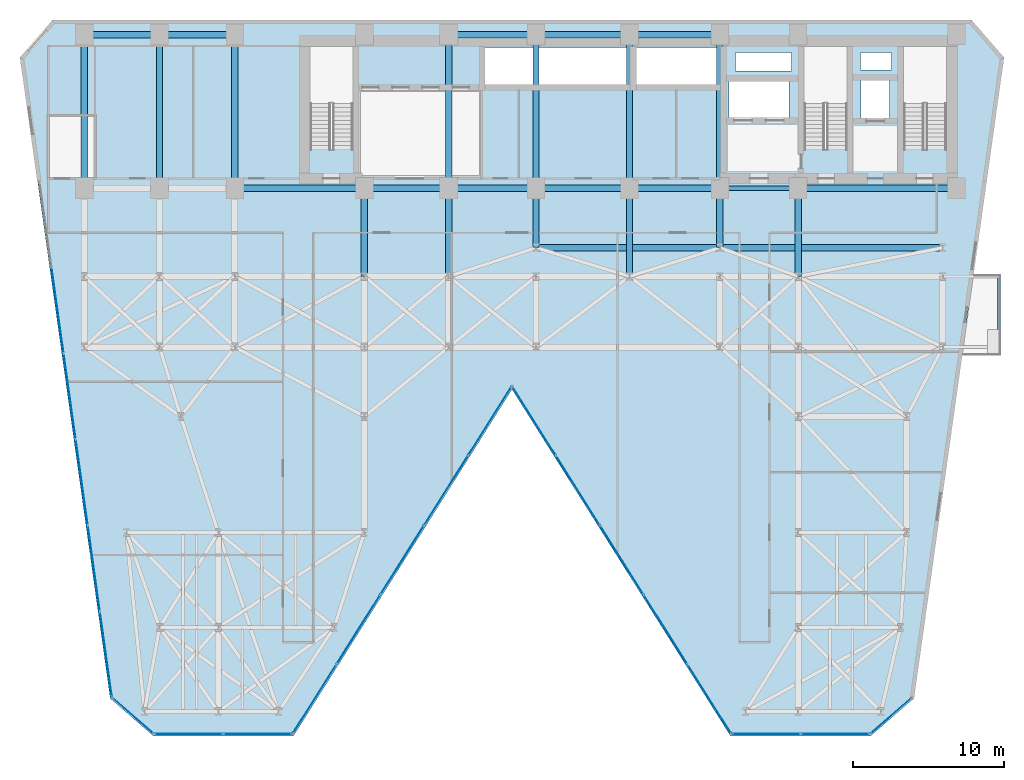
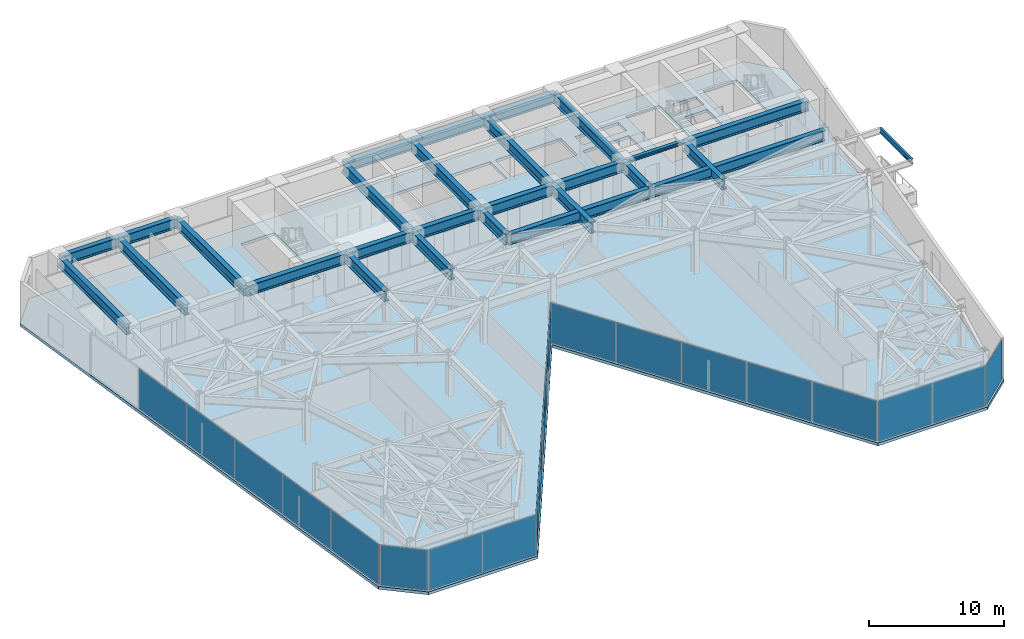
# One storey, part 18 of 24: 28 beams, 21 plates, 1 slab, 7 elements without a shape of their own.
"""IFC4 building model written with IfcOpenShell, lengths in metres."""

from ifc_helpers import new_model, si_unit, direction, frame, origin, origin_2d, place, context, subcontext, project, spatial, polyline, rectangle, i_section, outline, extrude, material, layer, layer_set, material_profile, profile_set, type_object, element, aggregate, save


model = new_model("IFC4")

# Units and contexts
model_context = context("Model", 3, precision=1e-05, world=origin(), true_north=direction((0.0, 1.0)))
body_context = subcontext(model_context, "Body", "Model", "MODEL_VIEW")
ifc_project = project(units=[si_unit("LENGTHUNIT", "METRE"), si_unit("AREAUNIT", "SQUARE_METRE"), si_unit("VOLUMEUNIT", "CUBIC_METRE"), si_unit("PLANEANGLEUNIT", "RADIAN"), si_unit("MASSUNIT", "GRAM", prefix="KILO")], contexts=[model_context])

# Site, building, storey
site_placement = place(None, origin())
site = spatial("IfcSite", under=ifc_project, at=site_placement, CompositionType="ELEMENT")
building_placement = place(site_placement, origin())
building = spatial("IfcBuilding", under=site, at=building_placement, Name="Kravanh Interchange Tower", CompositionType="ELEMENT")
storey_placement = place(building_placement, frame((0.0, 0.0, 37.5)))
storey = spatial("IfcBuildingStorey", under=building, at=storey_placement, Name="L08", CompositionType="ELEMENT", Elevation=37.5)

# Beams
ifc_material_1 = material(Name="Structural Steel S355", Category="steel")
ifc_material_profile_1 = material_profile(ifc_material_1, i_section(OverallWidth=0.41796875, OverallDepth=0.927001953125, WebThickness=0.019287109375, FlangeThickness=0.031982421875, FilletRadius=0.028076171875, at=origin_2d()), Name="W36X231")
ifc_profile_set_1 = profile_set([ifc_material_profile_1], Name="Structural Steel S355")
beam_type_1 = type_object("IfcBeamType", Name="Floor Beam W36X231 Structural Steel S355", PredefinedType="BEAM", material=ifc_profile_set_1)
beam_1_placement = place(storey_placement, frame((66.5, 37.35009765625, 3.276611328125), z_axis=(-1.0, 0.0, 0.0), x_axis=(0.0, -1.0, 0.0)))
element("IfcBeam", 1, at=beam_1_placement, inside=storey, type_object=beam_type_1, Name="L08 Primary Floor Girder 5", PredefinedType="BEAM", context=body_context, shape_type="SweptSolid", body=[
    extrude(i_section(OverallWidth=0.41796875, OverallDepth=0.927001953125, WebThickness=0.019287109375, FlangeThickness=0.031982421875, FilletRadius=0.028076171875, at=origin_2d()), origin(), (0.0, 0.0, 1.0), 10.5),
])
beam_2_placement = place(storey_placement, frame((56.0, 37.35009765625, 3.276611328125), z_axis=(0.0, -1.0, 0.0), x_axis=(1.0, 0.0, 0.0)))
element("IfcBeam", 2, at=beam_2_placement, inside=storey, type_object=beam_type_1, Name="L08 Primary Floor Girder 7", PredefinedType="BEAM", context=body_context, shape_type="SweptSolid", body=[
    extrude(i_section(OverallWidth=0.41796875, OverallDepth=0.927001953125, WebThickness=0.019287109375, FlangeThickness=0.031982421875, FilletRadius=0.028076171875, at=origin_2d()), origin(), (0.0, 0.0, 1.0), 5.85009765625),
])
beam_3_placement = place(storey_placement, frame((50.800048828125, 47.550048828125, 3.276611328125), z_axis=(-1.0, 0.0, 0.0), x_axis=(0.0, -1.0, 0.0)))
element("IfcBeam", 3, at=beam_3_placement, inside=storey, type_object=beam_type_1, Name="L08 Primary Floor Girder 8", PredefinedType="BEAM", context=body_context, shape_type="SweptSolid", body=[
    extrude(i_section(OverallWidth=0.41796875, OverallDepth=0.927001953125, WebThickness=0.019287109375, FlangeThickness=0.031982421875, FilletRadius=0.028076171875, at=origin_2d()), origin(), (0.0, 0.0, 1.0), 6.0),
])
beam_4_placement = place(storey_placement, frame((50.800048828125, 47.550048828125, 3.276611328125), z_axis=(0.0, -1.0, 0.0), x_axis=(1.0, 0.0, 0.0)))
element("IfcBeam", 4, at=beam_4_placement, inside=storey, type_object=beam_type_1, Name="L08 Primary Floor Girder 9", PredefinedType="BEAM", context=body_context, shape_type="SweptSolid", body=[
    extrude(i_section(OverallWidth=0.41796875, OverallDepth=0.927001953125, WebThickness=0.019287109375, FlangeThickness=0.031982421875, FilletRadius=0.028076171875, at=origin_2d()), origin(), (0.0, 0.0, 1.0), 10.199951171875),
])
beam_5_placement = place(storey_placement, frame((50.800048828125, 37.35009765625, 3.276611328125), z_axis=(0.0, -1.0, 0.0), x_axis=(1.0, 0.0, 0.0)))
element("IfcBeam", 5, at=beam_5_placement, inside=storey, type_object=beam_type_1, Name="L08 Primary Floor Girder 10", PredefinedType="BEAM", context=body_context, shape_type="SweptSolid", body=[
    extrude(i_section(OverallWidth=0.41796875, OverallDepth=0.927001953125, WebThickness=0.019287109375, FlangeThickness=0.031982421875, FilletRadius=0.028076171875, at=origin_2d()), origin(), (0.0, 0.0, 1.0), 3.9501953125),
])
beam_6_placement = place(storey_placement, frame((50.800048828125, 37.35009765625, 3.276611328125), z_axis=(-1.0, 0.0, 0.0), x_axis=(0.0, -1.0, 0.0)))
element("IfcBeam", 6, at=beam_6_placement, inside=storey, type_object=beam_type_1, Name="L08 Primary Floor Girder 11", PredefinedType="BEAM", context=body_context, shape_type="SweptSolid", body=[
    extrude(i_section(OverallWidth=0.41796875, OverallDepth=0.927001953125, WebThickness=0.019287109375, FlangeThickness=0.031982421875, FilletRadius=0.028076171875, at=origin_2d()), origin(), (0.0, 0.0, 1.0), 6.0),
])
beam_7_placement = place(storey_placement, frame((44.800048828125, 37.35009765625, 3.276611328125), z_axis=(0.0, -1.0, 0.0), x_axis=(1.0, 0.0, 0.0)))
element("IfcBeam", 7, at=beam_7_placement, inside=storey, type_object=beam_type_1, Name="L08 Primary Floor Girder 12", PredefinedType="BEAM", context=body_context, shape_type="SweptSolid", body=[
    extrude(i_section(OverallWidth=0.41796875, OverallDepth=0.927001953125, WebThickness=0.019287109375, FlangeThickness=0.031982421875, FilletRadius=0.028076171875, at=origin_2d()), origin(), (0.0, 0.0, 1.0), 5.85009765625),
])
beam_8_placement = place(storey_placement, frame((44.800048828125, 37.35009765625, 3.276611328125), z_axis=(-1.0, 0.0, 0.0), x_axis=(0.0, -1.0, 0.0)))
element("IfcBeam", 8, at=beam_8_placement, inside=storey, type_object=beam_type_1, Name="L08 Primary Floor Girder 13", PredefinedType="BEAM", context=body_context, shape_type="SweptSolid", body=[
    extrude(i_section(OverallWidth=0.41796875, OverallDepth=0.927001953125, WebThickness=0.019287109375, FlangeThickness=0.031982421875, FilletRadius=0.028076171875, at=origin_2d()), origin(), (0.0, 0.0, 1.0), 6.199951171875),
])
beam_9_placement = place(storey_placement, frame((44.800048828125, 37.35009765625, 3.276611328125), z_axis=(0.0, 1.0, 0.0), x_axis=(-1.0, 0.0, 0.0)))
element("IfcBeam", 9, at=beam_9_placement, inside=storey, type_object=beam_type_1, Name="L08 Primary Floor Girder 14", PredefinedType="BEAM", context=body_context, shape_type="SweptSolid", body=[
    extrude(i_section(OverallWidth=0.41796875, OverallDepth=0.927001953125, WebThickness=0.019287109375, FlangeThickness=0.031982421875, FilletRadius=0.028076171875, at=origin_2d()), origin(), (0.0, 0.0, 1.0), 10.199951171875),
])
beam_10_placement = place(storey_placement, frame((44.800048828125, 47.550048828125, 3.276611328125), z_axis=(-1.0, 0.0, 0.0), x_axis=(0.0, -1.0, 0.0)))
element("IfcBeam", 10, at=beam_10_placement, inside=storey, type_object=beam_type_1, Name="L08 Primary Floor Girder 15", PredefinedType="BEAM", context=body_context, shape_type="SweptSolid", body=[
    extrude(i_section(OverallWidth=0.41796875, OverallDepth=0.927001953125, WebThickness=0.019287109375, FlangeThickness=0.031982421875, FilletRadius=0.028076171875, at=origin_2d()), origin(), (0.0, 0.0, 1.0), 6.199951171875),
])
beam_11_placement = place(storey_placement, frame((38.60009765625, 37.35009765625, 3.276611328125), z_axis=(0.0, -1.0, 0.0), x_axis=(1.0, 0.0, 0.0)))
element("IfcBeam", 11, at=beam_11_placement, inside=storey, type_object=beam_type_1, Name="L08 Primary Floor Girder 16", PredefinedType="BEAM", context=body_context, shape_type="SweptSolid", body=[
    extrude(i_section(OverallWidth=0.41796875, OverallDepth=0.927001953125, WebThickness=0.019287109375, FlangeThickness=0.031982421875, FilletRadius=0.028076171875, at=origin_2d()), origin(), (0.0, 0.0, 1.0), 3.9501953125),
])
beam_12_placement = place(storey_placement, frame((38.60009765625, 37.35009765625, 3.276611328125), z_axis=(-1.0, 0.0, 0.0), x_axis=(0.0, -1.0, 0.0)))
element("IfcBeam", 12, at=beam_12_placement, inside=storey, type_object=beam_type_1, Name="L08 Primary Floor Girder 17", PredefinedType="BEAM", context=body_context, shape_type="SweptSolid", body=[
    extrude(i_section(OverallWidth=0.41796875, OverallDepth=0.927001953125, WebThickness=0.019287109375, FlangeThickness=0.031982421875, FilletRadius=0.028076171875, at=origin_2d()), origin(), (0.0, 0.0, 1.0), 5.800048828125),
])
beam_13_placement = place(storey_placement, frame((38.60009765625, 37.35009765625, 3.276611328125), z_axis=(0.0, 1.0, 0.0), x_axis=(-1.0, 0.0, 0.0)))
element("IfcBeam", 13, at=beam_13_placement, inside=storey, type_object=beam_type_1, Name="L08 Primary Floor Girder 18", PredefinedType="BEAM", context=body_context, shape_type="SweptSolid", body=[
    extrude(i_section(OverallWidth=0.41796875, OverallDepth=0.927001953125, WebThickness=0.019287109375, FlangeThickness=0.031982421875, FilletRadius=0.028076171875, at=origin_2d()), origin(), (0.0, 0.0, 1.0), 10.199951171875),
])
beam_14_placement = place(storey_placement, frame((38.60009765625, 47.550048828125, 3.276611328125), z_axis=(-1.0, 0.0, 0.0), x_axis=(0.0, -1.0, 0.0)))
element("IfcBeam", 14, at=beam_14_placement, inside=storey, type_object=beam_type_1, Name="L08 Primary Floor Girder 19", PredefinedType="BEAM", context=body_context, shape_type="SweptSolid", body=[
    extrude(i_section(OverallWidth=0.41796875, OverallDepth=0.927001953125, WebThickness=0.019287109375, FlangeThickness=0.031982421875, FilletRadius=0.028076171875, at=origin_2d()), origin(), (0.0, 0.0, 1.0), 5.800048828125),
])
beam_15_placement = place(storey_placement, frame((32.800048828125, 37.35009765625, 3.276611328125), z_axis=(-1.0, 0.0, 0.0), x_axis=(0.0, -1.0, 0.0)))
element("IfcBeam", 15, at=beam_15_placement, inside=storey, type_object=beam_type_1, Name="L08 Primary Floor Girder 20", PredefinedType="BEAM", context=body_context, shape_type="SweptSolid", body=[
    extrude(i_section(OverallWidth=0.41796875, OverallDepth=0.927001953125, WebThickness=0.019287109375, FlangeThickness=0.031982421875, FilletRadius=0.028076171875, at=origin_2d()), origin(), (0.0, 0.0, 1.0), 5.60009765625),
])
beam_16_placement = place(storey_placement, frame((32.800048828125, 37.35009765625, 3.276611328125), z_axis=(0.0, -1.0, 0.0), x_axis=(1.0, 0.0, 0.0)))
element("IfcBeam", 16, at=beam_16_placement, inside=storey, type_object=beam_type_1, Name="L08 Primary Floor Girder 21", PredefinedType="BEAM", context=body_context, shape_type="SweptSolid", body=[
    extrude(i_section(OverallWidth=0.41796875, OverallDepth=0.927001953125, WebThickness=0.019287109375, FlangeThickness=0.031982421875, FilletRadius=0.028076171875, at=origin_2d()), origin(), (0.0, 0.0, 1.0), 5.85009765625),
])
beam_17_placement = place(storey_placement, frame((32.800048828125, 37.35009765625, 3.276611328125), z_axis=(0.0, 1.0, 0.0), x_axis=(-1.0, 0.0, 0.0)))
element("IfcBeam", 17, at=beam_17_placement, inside=storey, type_object=beam_type_1, Name="L08 Primary Floor Girder 22", PredefinedType="BEAM", context=body_context, shape_type="SweptSolid", body=[
    extrude(i_section(OverallWidth=0.41796875, OverallDepth=0.927001953125, WebThickness=0.019287109375, FlangeThickness=0.031982421875, FilletRadius=0.028076171875, at=origin_2d()), origin(), (0.0, 0.0, 1.0), 10.199951171875),
])
beam_18_placement = place(storey_placement, frame((27.199951171875, 37.35009765625, 3.276611328125), z_axis=(0.0, -1.0, 0.0), x_axis=(1.0, 0.0, 0.0)))
element("IfcBeam", 18, at=beam_18_placement, inside=storey, type_object=beam_type_1, Name="L08 Primary Floor Girder 24", PredefinedType="BEAM", context=body_context, shape_type="SweptSolid", body=[
    extrude(i_section(OverallWidth=0.41796875, OverallDepth=0.927001953125, WebThickness=0.019287109375, FlangeThickness=0.031982421875, FilletRadius=0.028076171875, at=origin_2d()), origin(), (0.0, 0.0, 1.0), 5.85009765625),
])
beam_19_placement = place(storey_placement, frame((27.199951171875, 37.35009765625, 3.276611328125), z_axis=(-1.0, 0.0, 0.0), x_axis=(0.0, -1.0, 0.0)))
element("IfcBeam", 19, at=beam_19_placement, inside=storey, type_object=beam_type_1, Name="L08 Primary Floor Girder 25", PredefinedType="BEAM", context=body_context, shape_type="SweptSolid", body=[
    extrude(i_section(OverallWidth=0.41796875, OverallDepth=0.927001953125, WebThickness=0.019287109375, FlangeThickness=0.031982421875, FilletRadius=0.028076171875, at=origin_2d()), origin(), (0.0, 0.0, 1.0), 8.599853515625),
])
beam_20_placement = place(storey_placement, frame((18.60009765625, 37.35009765625, 3.276611328125), z_axis=(0.0, 1.0, 0.0), x_axis=(-1.0, 0.0, 0.0)))
element("IfcBeam", 20, at=beam_20_placement, inside=storey, type_object=beam_type_1, Name="L08 Primary Floor Girder 30", PredefinedType="BEAM", context=body_context, shape_type="SweptSolid", body=[
    extrude(i_section(OverallWidth=0.41796875, OverallDepth=0.927001953125, WebThickness=0.019287109375, FlangeThickness=0.031982421875, FilletRadius=0.028076171875, at=origin_2d()), origin(), (0.0, 0.0, 1.0), 10.199951171875),
])
beam_21_placement = place(storey_placement, frame((18.60009765625, 47.550048828125, 3.276611328125), z_axis=(-1.0, 0.0, 0.0), x_axis=(0.0, -1.0, 0.0)))
element("IfcBeam", 21, at=beam_21_placement, inside=storey, type_object=beam_type_1, Name="L08 Primary Floor Girder 31", PredefinedType="BEAM", context=body_context, shape_type="SweptSolid", body=[
    extrude(i_section(OverallWidth=0.41796875, OverallDepth=0.927001953125, WebThickness=0.019287109375, FlangeThickness=0.031982421875, FilletRadius=0.028076171875, at=origin_2d()), origin(), (0.0, 0.0, 1.0), 5.0),
])
beam_22_placement = place(storey_placement, frame((13.60009765625, 37.35009765625, 3.276611328125), z_axis=(0.0, 1.0, 0.0), x_axis=(-1.0, 0.0, 0.0)))
element("IfcBeam", 22, at=beam_22_placement, inside=storey, type_object=beam_type_1, Name="L08 Primary Floor Girder 34", PredefinedType="BEAM", context=body_context, shape_type="SweptSolid", body=[
    extrude(i_section(OverallWidth=0.41796875, OverallDepth=0.927001953125, WebThickness=0.019287109375, FlangeThickness=0.031982421875, FilletRadius=0.028076171875, at=origin_2d()), origin(), (0.0, 0.0, 1.0), 10.199951171875),
])
beam_23_placement = place(storey_placement, frame((13.60009765625, 47.550048828125, 3.276611328125), z_axis=(-1.0, 0.0, 0.0), x_axis=(0.0, -1.0, 0.0)))
element("IfcBeam", 23, at=beam_23_placement, inside=storey, type_object=beam_type_1, Name="L08 Primary Floor Girder 35", PredefinedType="BEAM", context=body_context, shape_type="SweptSolid", body=[
    extrude(i_section(OverallWidth=0.41796875, OverallDepth=0.927001953125, WebThickness=0.019287109375, FlangeThickness=0.031982421875, FilletRadius=0.028076171875, at=origin_2d()), origin(), (0.0, 0.0, 1.0), 5.0),
])
beam_24_placement = place(storey_placement, frame((8.60009765625, 37.35009765625, 3.276611328125), z_axis=(0.0, 1.0, 0.0), x_axis=(-1.0, 0.0, 0.0)))
element("IfcBeam", 24, at=beam_24_placement, inside=storey, type_object=beam_type_1, Name="L08 Primary Floor Girder 37", PredefinedType="BEAM", context=body_context, shape_type="SweptSolid", body=[
    extrude(i_section(OverallWidth=0.41796875, OverallDepth=0.927001953125, WebThickness=0.019287109375, FlangeThickness=0.031982421875, FilletRadius=0.028076171875, at=origin_2d()), origin(), (0.0, 0.0, 1.0), 10.199951171875),
])
beam_25_placement = place(storey_placement, frame((38.60009765625, 33.39990234375, 3.276611328125), z_axis=(1.0, 0.0, 0.0), x_axis=(0.0, 1.0, 0.0)))
element("IfcBeam", 25, at=beam_25_placement, inside=storey, type_object=beam_type_1, Name="L08 Primary Floor Girder 145", PredefinedType="BEAM", context=body_context, shape_type="SweptSolid", body=[
    extrude(i_section(OverallWidth=0.41796875, OverallDepth=0.927001953125, WebThickness=0.019287109375, FlangeThickness=0.031982421875, FilletRadius=0.028076171875, at=origin_2d()), origin(), (0.0, 0.0, 1.0), 12.199951171875),
])
beam_26_placement = place(storey_placement, frame((50.800048828125, 33.39990234375, 3.276611328125), z_axis=(1.0, 0.0, 0.0), x_axis=(0.0, 1.0, 0.0)))
element("IfcBeam", 26, at=beam_26_placement, inside=storey, type_object=beam_type_1, Name="L08 Primary Floor Girder 146", PredefinedType="BEAM", context=body_context, shape_type="SweptSolid", body=[
    extrude(i_section(OverallWidth=0.41796875, OverallDepth=0.927001953125, WebThickness=0.019287109375, FlangeThickness=0.031982421875, FilletRadius=0.028076171875, at=origin_2d()), origin(), (0.0, 0.0, 1.0), 14.800048828125),
])
ifc_material_2 = material(Name="Structural Steel S355", Category="steel")
ifc_material_profile_2 = material_profile(ifc_material_2, i_section(OverallWidth=0.18994140625, OverallDepth=0.45703125, WebThickness=0.009033203125, FlangeThickness=0.014404296875, FilletRadius=0.01806640625, at=origin_2d()), Name="W18X50")
ifc_profile_set_2 = profile_set([ifc_material_profile_2], Name="Structural Steel S355")
beam_type_2 = type_object("IfcBeamType", Name="Floor Joist W18X50 Structural Steel S355", PredefinedType="JOIST", material=ifc_profile_set_2)
beam_27_placement = place(storey_placement, frame((69.324951171875, 26.800048828125, 3.511474609375), z_axis=(0.0, 1.0, 0.0), x_axis=(-1.0, 0.0, 0.0)))
element("IfcBeam", 27, at=beam_27_placement, inside=storey, type_object=beam_type_2, Name="L08 Balcony Edge Tie Beam E", PredefinedType="JOIST", context=body_context, shape_type="SweptSolid", body=[
    extrude(i_section(OverallWidth=0.18994140625, OverallDepth=0.45703125, WebThickness=0.009033203125, FlangeThickness=0.014404296875, FilletRadius=0.01806640625, at=origin_2d()), origin(), (0.0, 0.0, 1.0), 4.699951171875),
])
ifc_material_3 = material(Name="Structural Steel S355", Category="steel")
ifc_material_profile_3 = material_profile(ifc_material_3, i_section(OverallWidth=0.304931640625, OverallDepth=0.306884765625, WebThickness=0.010009765625, FlangeThickness=0.015380859375, FilletRadius=0.014892578125, at=origin_2d()), Name="W12X65")
ifc_profile_set_3 = profile_set([ifc_material_profile_3], Name="Structural Steel S355")
beam_type_3 = type_object("IfcBeamType", Name="Floor Lintel W12X65 Structural Steel S355", PredefinedType="LINTEL", material=ifc_profile_set_3)
beam_28_placement = place(storey_placement, frame((50.800048828125, 37.35009765625, 3.58642578125), z_axis=(1.0, 0.0, 0.0), x_axis=(0.0, 1.0, 0.0)))
element("IfcBeam", 28, at=beam_28_placement, inside=storey, type_object=beam_type_3, Name="L08 Core Coupling Lintel 1", PredefinedType="LINTEL", context=body_context, shape_type="SweptSolid", body=[
    extrude(i_section(OverallWidth=0.304931640625, OverallDepth=0.306884765625, WebThickness=0.010009765625, FlangeThickness=0.015380859375, FilletRadius=0.014892578125, at=origin_2d()), origin(), (0.0, 0.0, 1.0), 5.199951171875),
])

# Slab
ifc_material_4 = material(Name="Concrete C50/60", Category="concrete")
ifc_layer_1 = layer(ifc_material_4, 0.260009765625)
ifc_layer_set_1 = layer_set([ifc_layer_1], Name="Composite Floor Slab Concrete C50/60 260mm")
slab_type = type_object("IfcSlabType", Name="Composite Floor Slab Concrete C50/60 260mm", PredefinedType="FLOOR", material=ifc_layer_set_1)
slab_placement = place(storey_placement, frame((0.0, 0.0, -0.260009765625)))
element("IfcSlab", 29, at=slab_placement, inside=storey, type_object=slab_type, Name="L08 Structural Floor Slab", PredefinedType="FLOOR", context=body_context, shape_type="SweptSolid", body=[
    extrude(outline(polyline([(10.327880859375, 3.4755859375), (13.17578125, 1.0), (22.5, 1.0), (37.0, 24.0), (51.5, 1.0), (60.82421875, 1.0), (63.672119140625, 3.4755859375), (69.652099609375, 46.0244140625), (67.5, 48.5), (6.5, 48.5), (4.347900390625, 46.0244140625), (10.327880859375, 3.4755859375)]), holes=[polyline([(65.85009765625, 39.925048828125), (65.85009765625, 46.75), (63.0, 46.75), (63.0, 39.925048828125), (65.85009765625, 39.925048828125)]), polyline([(59.25, 39.925048828125), (59.25, 46.75), (56.39990234375, 46.75), (56.39990234375, 39.925048828125), (59.25, 39.925048828125)]), polyline([(26.449951171875, 39.925048828125), (26.449951171875, 46.75), (23.60009765625, 46.75), (23.60009765625, 39.925048828125), (26.449951171875, 39.925048828125)]), polyline([(35.179931640625, 44.219970703125), (44.840087890625, 44.219970703125), (44.840087890625, 46.699951171875), (35.179931640625, 46.699951171875), (35.179931640625, 44.219970703125)]), polyline([(45.239990234375, 44.219970703125), (50.840087890625, 44.219970703125), (50.840087890625, 46.699951171875), (45.239990234375, 46.699951171875), (45.239990234375, 44.219970703125)]), polyline([(51.419921875, 42.02001953125), (55.3798828125, 42.02001953125), (55.3798828125, 44.47998046875), (51.419921875, 44.47998046875), (51.419921875, 42.02001953125)]), polyline([(60.179931640625, 41.97998046875), (62.06005859375, 41.97998046875), (62.06005859375, 44.52001953125), (60.179931640625, 44.52001953125), (60.179931640625, 41.97998046875)]), polyline([(60.14990234375, 45.199951171875), (62.199951171875, 45.199951171875), (62.199951171875, 46.35009765625), (60.14990234375, 46.35009765625), (60.14990234375, 45.199951171875)]), polyline([(51.85009765625, 45.14990234375), (55.550048828125, 45.14990234375), (55.550048828125, 46.35009765625), (51.85009765625, 46.35009765625), (51.85009765625, 45.14990234375)])]), origin(), (0.0, 0.0, 1.0), 0.260009765625),
])

# Curtain wall, plates
ifc_material_5 = material(Name="Anodised Bronze Aluminium", Category="aluminium")
ifc_layer_2 = layer(ifc_material_5, 0.179931640625)
ifc_layer_set_2 = layer_set([ifc_layer_2], Name="Unitised Curtain Wall System CW-Z1 Lower Office")
curtain_wall_type = type_object("IfcCurtainWallType", Name="Unitised Curtain Wall System CW-Z1 Lower Office", PredefinedType="NOTDEFINED", material=ifc_layer_set_2)
curtain_wall_1_placement = place(storey_placement, origin())
curtain_wall_1 = element("IfcCurtainWall", 30, at=curtain_wall_1_placement, inside=storey, type_object=curtain_wall_type, Name="L08 Unitised Curtain Wall CW-L08-01", PredefinedType="NOTDEFINED")
ifc_material_6 = material(Name="Low-E Laminated Architectural Glass", Category="glass")
ifc_layer_3 = layer(ifc_material_6, 0.028076171875)
ifc_layer_set_3 = layer_set([ifc_layer_3], Name="Solar-Control Double Glazing 28mm")
plate_type = type_object("IfcPlateType", Name="Solar-Control Double Glazing 28mm", PredefinedType="CURTAIN_PANEL", material=ifc_layer_set_3)
plate_1_placement = place(storey_placement, frame((10.03662109375, 6.409423828125, 0.06005859375), z_axis=(0.0, 0.0, 1.0), x_axis=(-0.139176538065, 0.990267585682, 0.0)))
plate_1 = element("IfcPlate", 31, at=plate_1_placement, type_object=plate_type, Name="CW-Z1 panel 1.1", PredefinedType="CURTAIN_PANEL", context=body_context, shape_type="SweptSolid", body=[
    extrude(rectangle(XDim=5.66162109375, YDim=0.028076171875, at=origin_2d()), origin(), (0.0, 0.0, 1.0), 3.6201171875),
])
plate_2_placement = place(storey_placement, frame((9.236572265625, 12.1025390625, 0.06005859375), z_axis=(0.0, 0.0, 1.0), x_axis=(-0.139176538065, 0.990267585682, 0.0)))
plate_2 = element("IfcPlate", 32, at=plate_2_placement, type_object=plate_type, Name="CW-Z1 panel 2.1", PredefinedType="CURTAIN_PANEL", context=body_context, shape_type="SweptSolid", body=[
    extrude(rectangle(XDim=5.69677734375, YDim=0.028076171875, at=origin_2d()), origin(), (0.0, 0.0, 1.0), 3.6201171875),
])
plate_3_placement = place(storey_placement, frame((8.433837890625, 17.813232421875, 0.06005859375), z_axis=(0.0, 0.0, 1.0), x_axis=(-0.139176538065, 0.990267585682, 0.0)))
plate_3 = element("IfcPlate", 33, at=plate_3_placement, type_object=plate_type, Name="CW-Z1 panel 3.1", PredefinedType="CURTAIN_PANEL", context=body_context, shape_type="SweptSolid", body=[
    extrude(rectangle(XDim=5.69677734375, YDim=0.028076171875, at=origin_2d()), origin(), (0.0, 0.0, 1.0), 3.6201171875),
])
plate_4_placement = place(storey_placement, frame((7.63134765625, 23.523681640625, 0.06005859375), z_axis=(0.0, 0.0, 1.0), x_axis=(-0.139176538065, 0.990267585682, 0.0)))
plate_4 = element("IfcPlate", 34, at=plate_4_placement, type_object=plate_type, Name="CW-Z1 panel 4.1", PredefinedType="CURTAIN_PANEL", context=body_context, shape_type="SweptSolid", body=[
    extrude(rectangle(XDim=5.69677734375, YDim=0.028076171875, at=origin_2d()), origin(), (0.0, 0.0, 1.0), 3.6201171875),
])
plate_5_placement = place(storey_placement, frame((6.828857421875, 29.234130859375, 0.06005859375), z_axis=(0.0, 0.0, 1.0), x_axis=(-0.139176538065, 0.990267585682, 0.0)))
plate_5 = element("IfcPlate", 35, at=plate_5_placement, type_object=plate_type, Name="CW-Z1 panel 5.1", PredefinedType="CURTAIN_PANEL", context=body_context, shape_type="SweptSolid", body=[
    extrude(rectangle(XDim=5.69677734375, YDim=0.028076171875, at=origin_2d()), origin(), (0.0, 0.0, 1.0), 3.6201171875),
])
aggregate(curtain_wall_1, [plate_1, plate_2, plate_3, plate_4, plate_5])

# Curtain wall, plate
curtain_wall_2_placement = place(storey_placement, origin())
curtain_wall_2 = element("IfcCurtainWall", 36, at=curtain_wall_2_placement, inside=storey, type_object=curtain_wall_type, Name="L08 Unitised Curtain Wall CW-L08-02", PredefinedType="NOTDEFINED")
plate_6_placement = place(storey_placement, frame((62.16943359375, 2.328369140625, 0.06005859375), z_axis=(0.0, 0.0, 1.0), x_axis=(-0.754708368999, -0.656060422341, 0.0)))
plate_6 = element("IfcPlate", 37, at=plate_6_placement, type_object=plate_type, Name="CW-Z1 panel 1.1", PredefinedType="CURTAIN_PANEL", context=body_context, shape_type="SweptSolid", body=[
    extrude(rectangle(XDim=3.543701171875, YDim=0.028076171875, at=origin_2d()), origin(), (0.0, 0.0, 1.0), 3.6201171875),
])
aggregate(curtain_wall_2, [plate_6])

# Curtain wall, plates
curtain_wall_3_placement = place(storey_placement, origin())
curtain_wall_3 = element("IfcCurtainWall", 38, at=curtain_wall_3_placement, inside=storey, type_object=curtain_wall_type, Name="L08 Unitised Curtain Wall CW-L08-03", PredefinedType="NOTDEFINED")
plate_7_placement = place(storey_placement, frame((58.45849609375, 1.1201171875, 0.06005859375), z_axis=(0.0, 0.0, 1.0), x_axis=(-1.0, 0.0, 0.0)))
plate_7 = element("IfcPlate", 39, at=plate_7_placement, type_object=plate_type, Name="CW-Z1 panel 1.1", PredefinedType="CURTAIN_PANEL", context=body_context, shape_type="SweptSolid", body=[
    extrude(rectangle(XDim=4.501708984375, YDim=0.028076171875, at=origin_2d()), origin(), (0.0, 0.0, 1.0), 3.6201171875),
])
plate_8_placement = place(storey_placement, frame((53.886962890625, 1.1201171875, 0.06005859375), z_axis=(0.0, 0.0, 1.0), x_axis=(-1.0, 0.0, 0.0)))
plate_8 = element("IfcPlate", 40, at=plate_8_placement, type_object=plate_type, Name="CW-Z1 panel 2.1", PredefinedType="CURTAIN_PANEL", context=body_context, shape_type="SweptSolid", body=[
    extrude(rectangle(XDim=4.501708984375, YDim=0.028076171875, at=origin_2d()), origin(), (0.0, 0.0, 1.0), 3.6201171875),
])
aggregate(curtain_wall_3, [plate_7, plate_8])

curtain_wall_4_placement = place(storey_placement, origin())
curtain_wall_4 = element("IfcCurtainWall", 41, at=curtain_wall_4_placement, inside=storey, type_object=curtain_wall_type, Name="L08 Unitised Curtain Wall CW-L08-04", PredefinedType="NOTDEFINED")
plate_9_placement = place(storey_placement, frame((50.100341796875, 3.4453125, 0.06005859375), z_axis=(0.0, 0.0, 1.0), x_axis=(-0.53330103728, 0.845925530786, 0.0)))
plate_9 = element("IfcPlate", 42, at=plate_9_placement, type_object=plate_type, Name="CW-Z1 panel 1.1", PredefinedType="CURTAIN_PANEL", context=body_context, shape_type="SweptSolid", body=[
    extrude(rectangle(XDim=5.357666015625, YDim=0.028076171875, at=origin_2d()), origin(), (0.0, 0.0, 1.0), 3.6201171875),
])
plate_10_placement = place(storey_placement, frame((47.1962890625, 8.051513671875, 0.06005859375), z_axis=(0.0, 0.0, 1.0), x_axis=(-0.53330103728, 0.845925530786, 0.0)))
plate_10 = element("IfcPlate", 43, at=plate_10_placement, type_object=plate_type, Name="CW-Z1 panel 2.1", PredefinedType="CURTAIN_PANEL", context=body_context, shape_type="SweptSolid", body=[
    extrude(rectangle(XDim=5.392578125, YDim=0.028076171875, at=origin_2d()), origin(), (0.0, 0.0, 1.0), 3.6201171875),
])
plate_11_placement = place(storey_placement, frame((44.283203125, 12.672607421875, 0.06005859375), z_axis=(0.0, 0.0, 1.0), x_axis=(-0.53330103728, 0.845925530786, 0.0)))
plate_11 = element("IfcPlate", 44, at=plate_11_placement, type_object=plate_type, Name="CW-Z1 panel 3.1", PredefinedType="CURTAIN_PANEL", context=body_context, shape_type="SweptSolid", body=[
    extrude(rectangle(XDim=5.392578125, YDim=0.028076171875, at=origin_2d()), origin(), (0.0, 0.0, 1.0), 3.6201171875),
])
plate_12_placement = place(storey_placement, frame((41.369873046875, 17.29345703125, 0.06005859375), z_axis=(0.0, 0.0, 1.0), x_axis=(-0.53330103728, 0.845925530786, 0.0)))
plate_12 = element("IfcPlate", 45, at=plate_12_placement, type_object=plate_type, Name="CW-Z1 panel 4.1", PredefinedType="CURTAIN_PANEL", context=body_context, shape_type="SweptSolid", body=[
    extrude(rectangle(XDim=5.392578125, YDim=0.028076171875, at=origin_2d()), origin(), (0.0, 0.0, 1.0), 3.6201171875),
])
plate_13_placement = place(storey_placement, frame((38.466064453125, 21.899658203125, 0.06005859375), z_axis=(0.0, 0.0, 1.0), x_axis=(-0.53330103728, 0.845925530786, 0.0)))
plate_13 = element("IfcPlate", 46, at=plate_13_placement, type_object=plate_type, Name="CW-Z1 panel 5.1", PredefinedType="CURTAIN_PANEL", context=body_context, shape_type="SweptSolid", body=[
    extrude(rectangle(XDim=5.357666015625, YDim=0.028076171875, at=origin_2d()), origin(), (0.0, 0.0, 1.0), 3.6201171875),
])
aggregate(curtain_wall_4, [plate_9, plate_10, plate_11, plate_12, plate_13])

curtain_wall_5_placement = place(storey_placement, origin())
curtain_wall_5 = element("IfcCurtainWall", 47, at=curtain_wall_5_placement, inside=storey, type_object=curtain_wall_type, Name="L08 Unitised Curtain Wall CW-L08-05", PredefinedType="NOTDEFINED")
plate_14_placement = place(storey_placement, frame((35.533935546875, 21.899658203125, 0.06005859375), z_axis=(0.0, 0.0, 1.0), x_axis=(-0.53330103728, -0.845925530786, 0.0)))
plate_14 = element("IfcPlate", 48, at=plate_14_placement, type_object=plate_type, Name="CW-Z1 panel 1.1", PredefinedType="CURTAIN_PANEL", context=body_context, shape_type="SweptSolid", body=[
    extrude(rectangle(XDim=5.357666015625, YDim=0.028076171875, at=origin_2d()), origin(), (0.0, 0.0, 1.0), 3.6201171875),
])
plate_15_placement = place(storey_placement, frame((32.630126953125, 17.29345703125, 0.06005859375), z_axis=(0.0, 0.0, 1.0), x_axis=(-0.53330103728, -0.845925530786, 0.0)))
plate_15 = element("IfcPlate", 49, at=plate_15_placement, type_object=plate_type, Name="CW-Z1 panel 2.1", PredefinedType="CURTAIN_PANEL", context=body_context, shape_type="SweptSolid", body=[
    extrude(rectangle(XDim=5.392578125, YDim=0.028076171875, at=origin_2d()), origin(), (0.0, 0.0, 1.0), 3.6201171875),
])
plate_16_placement = place(storey_placement, frame((29.716796875, 12.672607421875, 0.06005859375), z_axis=(0.0, 0.0, 1.0), x_axis=(-0.53330103728, -0.845925530786, 0.0)))
plate_16 = element("IfcPlate", 50, at=plate_16_placement, type_object=plate_type, Name="CW-Z1 panel 3.1", PredefinedType="CURTAIN_PANEL", context=body_context, shape_type="SweptSolid", body=[
    extrude(rectangle(XDim=5.392578125, YDim=0.028076171875, at=origin_2d()), origin(), (0.0, 0.0, 1.0), 3.6201171875),
])
plate_17_placement = place(storey_placement, frame((26.8037109375, 8.051513671875, 0.06005859375), z_axis=(0.0, 0.0, 1.0), x_axis=(-0.53330103728, -0.845925530786, 0.0)))
plate_17 = element("IfcPlate", 51, at=plate_17_placement, type_object=plate_type, Name="CW-Z1 panel 4.1", PredefinedType="CURTAIN_PANEL", context=body_context, shape_type="SweptSolid", body=[
    extrude(rectangle(XDim=5.392578125, YDim=0.028076171875, at=origin_2d()), origin(), (0.0, 0.0, 1.0), 3.6201171875),
])
plate_18_placement = place(storey_placement, frame((23.899658203125, 3.4453125, 0.06005859375), z_axis=(0.0, 0.0, 1.0), x_axis=(-0.53330103728, -0.845925530786, 0.0)))
plate_18 = element("IfcPlate", 52, at=plate_18_placement, type_object=plate_type, Name="CW-Z1 panel 5.1", PredefinedType="CURTAIN_PANEL", context=body_context, shape_type="SweptSolid", body=[
    extrude(rectangle(XDim=5.357666015625, YDim=0.028076171875, at=origin_2d()), origin(), (0.0, 0.0, 1.0), 3.6201171875),
])
aggregate(curtain_wall_5, [plate_14, plate_15, plate_16, plate_17, plate_18])

curtain_wall_6_placement = place(storey_placement, origin())
curtain_wall_6 = element("IfcCurtainWall", 53, at=curtain_wall_6_placement, inside=storey, type_object=curtain_wall_type, Name="L08 Unitised Curtain Wall CW-L08-06", PredefinedType="NOTDEFINED")
plate_19_placement = place(storey_placement, frame((20.113037109375, 1.1201171875, 0.06005859375), z_axis=(0.0, 0.0, 1.0), x_axis=(-1.0, 0.0, 0.0)))
plate_19 = element("IfcPlate", 54, at=plate_19_placement, type_object=plate_type, Name="CW-Z1 panel 1.1", PredefinedType="CURTAIN_PANEL", context=body_context, shape_type="SweptSolid", body=[
    extrude(rectangle(XDim=4.501708984375, YDim=0.028076171875, at=origin_2d()), origin(), (0.0, 0.0, 1.0), 3.6201171875),
])
plate_20_placement = place(storey_placement, frame((15.54150390625, 1.1201171875, 0.06005859375), z_axis=(0.0, 0.0, 1.0), x_axis=(-1.0, 0.0, 0.0)))
plate_20 = element("IfcPlate", 55, at=plate_20_placement, type_object=plate_type, Name="CW-Z1 panel 2.1", PredefinedType="CURTAIN_PANEL", context=body_context, shape_type="SweptSolid", body=[
    extrude(rectangle(XDim=4.501708984375, YDim=0.028076171875, at=origin_2d()), origin(), (0.0, 0.0, 1.0), 3.6201171875),
])
aggregate(curtain_wall_6, [plate_19, plate_20])

# Curtain wall, plate
curtain_wall_7_placement = place(storey_placement, origin())
curtain_wall_7 = element("IfcCurtainWall", 56, at=curtain_wall_7_placement, inside=storey, type_object=curtain_wall_type, Name="L08 Unitised Curtain Wall CW-L08-07", PredefinedType="NOTDEFINED")
plate_21_placement = place(storey_placement, frame((11.83056640625, 2.328369140625, 0.06005859375), z_axis=(0.0, 0.0, 1.0), x_axis=(-0.754708368999, 0.656060422341, 0.0)))
plate_21 = element("IfcPlate", 57, at=plate_21_placement, type_object=plate_type, Name="CW-Z1 panel 1.1", PredefinedType="CURTAIN_PANEL", context=body_context, shape_type="SweptSolid", body=[
    extrude(rectangle(XDim=3.543701171875, YDim=0.028076171875, at=origin_2d()), origin(), (0.0, 0.0, 1.0), 3.6201171875),
])
aggregate(curtain_wall_7, [plate_21])

save(model, "model.ifc")
